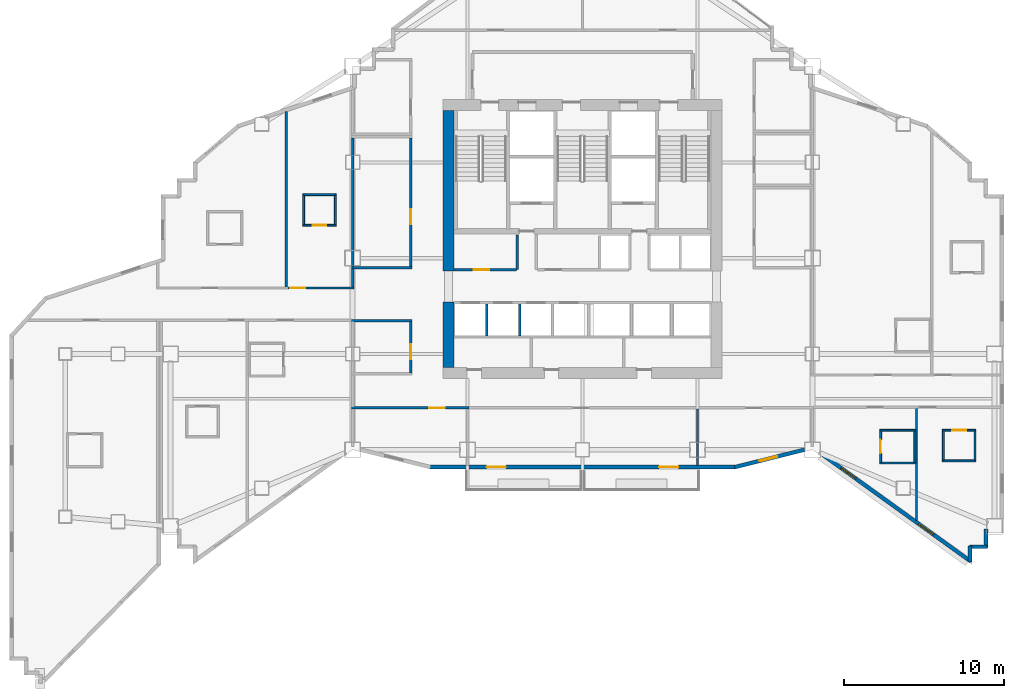
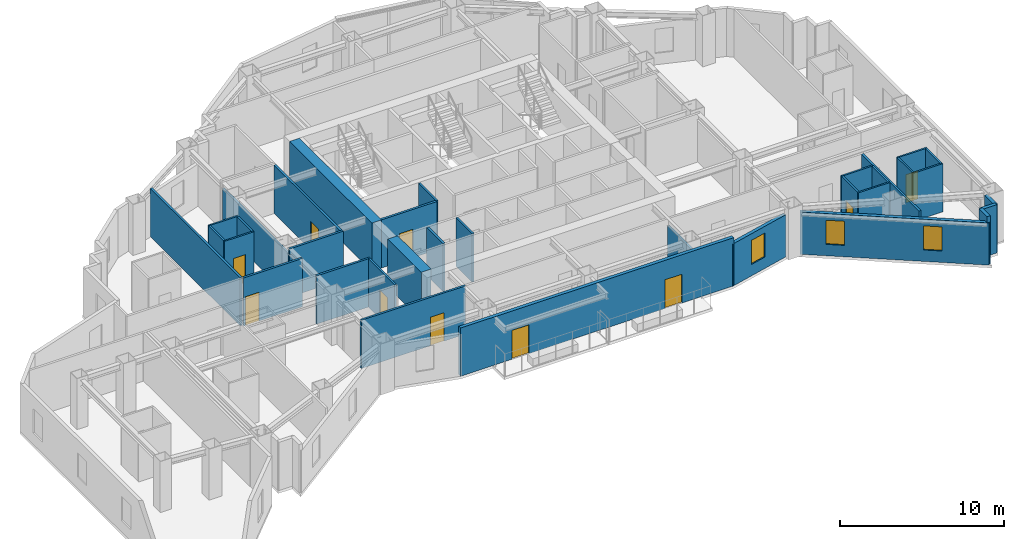
# One storey, part 6 of 14: 35 walls, 10 doors, 3 windows, 13 openings.
"""IFC4 building model written with IfcOpenShell, lengths in metres."""

import ifcopenshell
import ifcopenshell.guid

model = None  # the IFC model being written
_history = None  # IfcOwnerHistory: only IFC2X3 demands one
_inside = {}  # id of a spatial element -> (the spatial element, [elements in it])
_under = {}  # id of a project, library or spatial element -> (it, [spatial elements below it])
_declared = {}  # id of a project -> (the project, [libraries it declares])
_typed = {}  # id of a type object -> (the type object, [elements of that type])
_made_of = {}  # id of a material, layer set ... -> (it, [elements and type objects made of it])


def new_model(schema):
    """Start an empty IFC model of exactly this schema.

    Asked for "IFC4X3", IfcOpenShell would pick the latest addendum, in which some entities
    have other attributes; the version numbers below select the first issue.
    IFC2X3 requires an IfcOwnerHistory on every rooted entity: one is made here for all.
    """
    global model, _history
    if schema == "IFC4X3":
        model = ifcopenshell.file(schema_version=(4, 3, 0, 0))
    else:
        model = ifcopenshell.file(schema=schema)
    _inside.clear()
    _under.clear()
    _declared.clear()
    _typed.clear()
    _made_of.clear()
    _history = None
    if model.schema == "IFC2X3":
        org = make("IfcOrganization", Name="unknown")
        user = make(
            "IfcPersonAndOrganization",
            ThePerson=make("IfcPerson", FamilyName="unknown"),
            TheOrganization=org,
        )
        app = make(
            "IfcApplication",
            ApplicationDeveloper=org,
            Version="unknown",
            ApplicationFullName="unknown",
            ApplicationIdentifier="unknown",
        )
        _history = make(
            "IfcOwnerHistory",
            OwningUser=user,
            OwningApplication=app,
            ChangeAction="ADDED",
            CreationDate=0,
        )
    return model


def make(cls, **values):
    """One entity of the class cls with the attributes given. An attribute that is None is left unset."""
    return model.create_entity(
        cls, **{name: value for name, value in values.items() if value is not None}
    )


def rooted(cls, **values):
    """An entity with a GlobalId (a new one), such as an element, a storey or a relation."""
    return make(cls, GlobalId=ifcopenshell.guid.new(), OwnerHistory=_history, **values)


def si_unit(unit_type, name, prefix=None):
    """IfcSIUnit, for example si_unit("LENGTHUNIT", "METRE", prefix="MILLI")."""
    return make("IfcSIUnit", UnitType=unit_type, Prefix=prefix, Name=name)


def assignment(units):
    """IfcUnitAssignment: the units of a project."""
    return None if units is None else make("IfcUnitAssignment", Units=units)


def point(xyz):
    """IfcCartesianPoint."""
    return None if xyz is None else make("IfcCartesianPoint", Coordinates=xyz)


def direction(xyz):
    """IfcDirection."""
    return None if xyz is None else make("IfcDirection", DirectionRatios=xyz)


def frame(location, z_axis=None, x_axis=None):
    """IfcAxis2Placement3D, a coordinate frame: its origin and axes. An axis left out is left unset."""
    return make(
        "IfcAxis2Placement3D",
        Location=point(location),
        Axis=direction(z_axis),
        RefDirection=direction(x_axis),
    )


def frame_2d(location, x_axis=None):
    """IfcAxis2Placement2D, a coordinate frame in the plane: its origin and x axis."""
    return make(
        "IfcAxis2Placement2D", Location=point(location), RefDirection=direction(x_axis)
    )


def origin():
    """The frame at (0, 0, 0) with its axes left unset."""
    return frame((0.0, 0.0, 0.0))


def place(relative_to, where):
    """IfcLocalPlacement: puts the frame where relative to a parent placement (None: the world)."""
    return make(
        "IfcLocalPlacement", PlacementRelTo=relative_to, RelativePlacement=where
    )


def context(
    kind, dimensions, precision=None, world=None, true_north=None, identifier=None
):
    """IfcGeometricRepresentationContext, for example the 3D "Model" context."""
    return make(
        "IfcGeometricRepresentationContext",
        ContextIdentifier=identifier,
        ContextType=kind,
        CoordinateSpaceDimension=dimensions,
        Precision=precision,
        WorldCoordinateSystem=world,
        TrueNorth=true_north,
    )


def subcontext(parent, identifier, kind, view, scale=None):
    """IfcGeometricRepresentationSubContext, for example "Body" below "Model"."""
    return make(
        "IfcGeometricRepresentationSubContext",
        ContextIdentifier=identifier,
        ContextType=kind,
        ParentContext=parent,
        TargetScale=scale,
        TargetView=view,
    )


def project(units=None, contexts=None):
    """IfcProject with its units and contexts."""
    return rooted(
        "IfcProject",
        Name="project",
        RepresentationContexts=contexts,
        UnitsInContext=assignment(units),
    )


def spatial(cls, under=None, at=None, **own):
    """A site, building, storey or space (cls), placed at a placement, below another one or the project."""
    s = rooted(cls, ObjectPlacement=at, **own)
    if under is not None:
        _under.setdefault(under.id(), (under, []))[1].append(s)
    return s


def profile(cls, at=None, kind="AREA", **sizes):
    """A parametric profile (cls). Its sizes go by their IFC names, for example OverallWidth=200.0."""
    return make(cls, ProfileType=kind, Position=at, **sizes)


def rectangle(**sizes):
    """IfcRectangleProfileDef."""
    return profile("IfcRectangleProfileDef", **sizes)


def extrude(swept, where, along, depth):
    """IfcExtrudedAreaSolid: the profile swept, set in the frame where, extruded along a direction by depth."""
    return make(
        "IfcExtrudedAreaSolid",
        SweptArea=swept,
        Position=where,
        ExtrudedDirection=direction(along),
        Depth=depth,
    )


def shape(context_of_items, identifier, shape_type, items):
    """IfcShapeRepresentation: the items that make up one representation, for example the "Body"."""
    return make(
        "IfcShapeRepresentation",
        ContextOfItems=context_of_items,
        RepresentationIdentifier=identifier,
        RepresentationType=shape_type,
        Items=items,
    )


def material(Name=None, Category=None):
    """IfcMaterial."""
    return make("IfcMaterial", Name=Name, Category=Category)


def layer(
    of_material, thickness, ventilated=None, Name=None, Category=None, Priority=None
):
    """IfcMaterialLayer: one layer of a wall or slab, of a material (None: an air gap)."""
    return make(
        "IfcMaterialLayer",
        Material=of_material,
        LayerThickness=thickness,
        IsVentilated=ventilated,
        Name=Name,
        Category=Category,
        Priority=Priority,
    )


def layer_set(layers, Name=None):
    """IfcMaterialLayerSet."""
    return make("IfcMaterialLayerSet", MaterialLayers=layers, LayerSetName=Name)


def made_of(thing, what):
    """Note that an element or type object is made of a material, layer set ...; save() writes the relation."""
    if what is not None:
        _made_of.setdefault(what.id(), (what, []))[1].append(thing)
    return thing


def type_object(cls, material=None, **own):
    """A type object (cls), such as IfcWallType, which elements share."""
    return made_of(rooted(cls, **own), material)


def element(
    cls,
    number,
    at=None,
    inside=None,
    cuts=None,
    type_object=None,
    material=None,
    context=None,
    identifier="Body",
    shape_type=None,
    held_by="IfcProductDefinitionShape",
    body=None,
    shapes=None,
    **own,
):
    """One element of the class cls, such as IfcWall. Its Tag is "e" and its number.

    at: its placement. inside: the storey or other place that contains it. cuts: it is an
    opening in that element (IfcRelVoidsElement). A single representation is given by context,
    identifier, shape_type and body (its items); several are given by shapes. held_by: the class
    of the entity that holds the representations. save() writes the other relations.
    """
    e = rooted(cls, Tag="e%d" % number, ObjectPlacement=at, **own)
    if body is not None:
        shapes = [shape(context, identifier, shape_type, body)]
    if shapes is not None:
        e.Representation = make(held_by, Representations=shapes)
    if inside is not None:
        _inside.setdefault(inside.id(), (inside, []))[1].append(e)
    if cuts is not None:
        rooted(
            "IfcRelVoidsElement", RelatingBuildingElement=cuts, RelatedOpeningElement=e
        )
    if type_object is not None:
        _typed.setdefault(type_object.id(), (type_object, []))[1].append(e)
    return made_of(e, material)


def fill(opening, filler):
    """IfcRelFillsElement: the door or window that sits in an opening."""
    return rooted(
        "IfcRelFillsElement",
        RelatingOpeningElement=opening,
        RelatedBuildingElement=filler,
    )


def aggregate(whole, parts):
    """IfcRelAggregates: a whole, such as a stair, and the parts it consists of."""
    return rooted("IfcRelAggregates", RelatingObject=whole, RelatedObjects=parts)


def save(model, path):
    """Write the relations noted so far, then the file.

    IfcRelAggregates (storeys below a building ...), IfcRelContainedInSpatialStructure (elements
    in a storey), IfcRelDefinesByType, IfcRelAssociatesMaterial and IfcRelDeclares: one each for
    every whole, place, type object, material and project.
    """
    for whole, parts in _under.values():
        aggregate(whole, parts)
    for where, things in _inside.values():
        rooted(
            "IfcRelContainedInSpatialStructure",
            RelatedElements=things,
            RelatingStructure=where,
        )
    for kind, things in _typed.values():
        rooted("IfcRelDefinesByType", RelatedObjects=things, RelatingType=kind)
    for what, things in _made_of.values():
        rooted("IfcRelAssociatesMaterial", RelatedObjects=things, RelatingMaterial=what)
    for by, libraries in _declared.values():
        rooted("IfcRelDeclares", RelatingContext=by, RelatedDefinitions=libraries)
    model.write(path)


model = new_model("IFC4")

# Units and contexts
model_context = context("Model", 3, precision=1e-05, world=origin(), true_north=direction((0.0, 1.0)))
body_context = subcontext(model_context, "Body", "Model", "MODEL_VIEW")
ifc_project = project(units=[si_unit("LENGTHUNIT", "METRE"), si_unit("AREAUNIT", "SQUARE_METRE"), si_unit("VOLUMEUNIT", "CUBIC_METRE"), si_unit("PLANEANGLEUNIT", "RADIAN"), si_unit("MASSUNIT", "GRAM", prefix="KILO")], contexts=[model_context])

# Site, building, storey
site_placement = place(None, origin())
site = spatial("IfcSite", under=ifc_project, at=site_placement, CompositionType="ELEMENT")
building_placement = place(site_placement, origin())
building = spatial("IfcBuilding", under=site, at=building_placement, Name="Haolan Belvedere Tower", CompositionType="ELEMENT")
storey_placement = place(building_placement, frame((0.0, 0.0, 109.800048828125)))
storey = spatial("IfcBuildingStorey", under=building, at=storey_placement, Name="L27", CompositionType="ELEMENT", Elevation=109.800048828125)

# Walls
ifc_material_1 = material(Name="Concrete C60/75", Category="concrete")
ifc_layer_1 = layer(ifc_material_1, 0.699951171875, Name="Concrete C60/75")
ifc_layer_set_1 = layer_set([ifc_layer_1], Name="Concrete C60/75")
wall_type_1 = type_object("IfcWallType", Name="WL-CORE-700", PredefinedType="SHEAR", material=ifc_layer_set_1)
wall_1_placement = place(storey_placement, frame((30.0, 26.75, 0.0), z_axis=(0.0, 0.0, 1.0), x_axis=(0.0, 1.0, 0.0)))
element("IfcWall", 1, at=wall_1_placement, inside=storey, type_object=wall_type_1, Name="L27 central core shear wall WS", PredefinedType="SHEAR", context=body_context, shape_type="SweptSolid", body=[
    extrude(rectangle(XDim=4.10009765625, YDim=0.699951171875, at=frame_2d((2.050048828125, 0.0))), origin(), (0.0, 0.0, 1.0), 3.599853515625),
])
wall_2_placement = place(storey_placement, frame((30.0, 32.800048828125, 0.0), z_axis=(0.0, 0.0, 1.0), x_axis=(0.0, 1.0, 0.0)))
element("IfcWall", 2, at=wall_2_placement, inside=storey, type_object=wall_type_1, Name="L27 central core shear wall WN", PredefinedType="SHEAR", context=body_context, shape_type="SweptSolid", body=[
    extrude(rectangle(XDim=10.050048828125, YDim=0.699951171875, at=frame_2d((5.02490234375, 0.0))), origin(), (0.0, 0.0, 1.0), 3.599853515625),
])

# Wall, openings, doors
ifc_material_2 = material(Name="Precast concrete C40/50", Category="concrete")
ifc_layer_2 = layer(ifc_material_2, 0.239990234375, Name="Precast concrete C40/50")
ifc_layer_set_2 = layer_set([ifc_layer_2], Name="Precast concrete C40/50")
wall_type_2 = type_object("IfcWallType", Name="WL-EXT-240", PredefinedType="SOLIDWALL", material=ifc_layer_set_2)
wall_3_placement = place(storey_placement, frame((28.759765625, 20.52001953125, 0.0), z_axis=(0.0, 0.0, 1.0), x_axis=(1.0, 0.0, 0.0)))
wall_3 = element("IfcWall", 3, at=wall_3_placement, inside=storey, type_object=wall_type_2, Name="L27 pale-metal exterior spandrel wall 7.1", PredefinedType="SOLIDWALL", context=body_context, shape_type="SweptSolid", body=[
    extrude(rectangle(XDim=19.280517578125, YDim=0.239990234375, at=frame_2d((9.64013671875, 0.0))), origin(), (0.0, 0.0, 1.0), 3.599853515625),
])
opening_1_placement = place(wall_3_placement, frame((4.840087890625, 0.0, 0.0), z_axis=(0.0, 0.0, 1.0), x_axis=(-1.0, 0.0, 0.0)))
opening_1 = element("IfcOpeningElement", 4, at=opening_1_placement, cuts=wall_3, Name="Opening BD-01", PredefinedType="OPENING", context=body_context, shape_type="SweptSolid", body=[
    extrude(rectangle(XDim=1.199951171875, YDim=2.14990234375, at=frame_2d((0.60009765625, 1.074951171875))), frame((0.0, 0.1298828125, 0.0), z_axis=(0.0, -1.0, 0.0), x_axis=(1.0, 0.0, 0.0)), (0.0, 0.0, 1.0), 0.260009765625),
])
opening_2_placement = place(wall_3_placement, frame((15.64013671875, 0.0, 0.0), z_axis=(0.0, 0.0, 1.0), x_axis=(-1.0, 0.0, 0.0)))
opening_2 = element("IfcOpeningElement", 5, at=opening_2_placement, cuts=wall_3, Name="Opening BD-01", PredefinedType="OPENING", context=body_context, shape_type="SweptSolid", body=[
    extrude(rectangle(XDim=1.199951171875, YDim=2.14990234375, at=frame_2d((0.60009765625, 1.074951171875))), frame((0.0, 0.1298828125, 0.0), z_axis=(0.0, -1.0, 0.0), x_axis=(1.0, 0.0, 0.0)), (0.0, 0.0, 1.0), 0.260009765625),
])
ifc_material_3 = material(Name="Thermally broken pale-metal aluminium and Low-E glass", Category="aluminium")
door_type_1 = type_object("IfcDoorType", Name="DR-BAL-1200", OperationType="NOTDEFINED", PredefinedType="DOOR", material=ifc_material_3)
door_1_placement = place(opening_1_placement, origin())
door_1 = element("IfcDoor", 6, at=door_1_placement, inside=storey, type_object=door_type_1, Name="L27 tree-balcony access door 1", OperationType="SINGLE_SWING_LEFT", OverallHeight=2.14990234375, OverallWidth=1.199951171875, PredefinedType="DOOR", context=body_context, shape_type="SweptSolid", body=[
    extrude(rectangle(XDim=1.199951171875, YDim=2.14990234375, at=frame_2d((0.60009765625, 1.074951171875))), frame((0.0, 0.02490234375, 0.0), z_axis=(0.0, -1.0, 0.0), x_axis=(1.0, 0.0, 0.0)), (0.0, 0.0, 1.0), 0.050048828125),
])
fill(opening_1, door_1)
door_2_placement = place(opening_2_placement, origin())
door_2 = element("IfcDoor", 7, at=door_2_placement, inside=storey, type_object=door_type_1, Name="L27 tree-balcony access door 2", OperationType="SINGLE_SWING_RIGHT", OverallHeight=2.14990234375, OverallWidth=1.199951171875, PredefinedType="DOOR", context=body_context, shape_type="SweptSolid", body=[
    extrude(rectangle(XDim=1.199951171875, YDim=2.14990234375, at=frame_2d((0.60009765625, 1.074951171875))), frame((0.0, 0.02490234375, 0.0), z_axis=(0.0, -1.0, 0.0), x_axis=(1.0, 0.0, 0.0)), (0.0, 0.0, 1.0), 0.050048828125),
])
fill(opening_2, door_2)

# Wall, opening, window
wall_4_placement = place(storey_placement, frame((47.931884765625, 20.506591796875, 0.0), z_axis=(0.0, 0.0, 1.0), x_axis=(0.970145683738, 0.242522890311, 0.0)))
wall_4 = element("IfcWall", 8, at=wall_4_placement, inside=storey, type_object=wall_type_2, Name="L27 pale-metal exterior spandrel wall 8.1", PredefinedType="SOLIDWALL", context=body_context, shape_type="SweptSolid", body=[
    extrude(rectangle(XDim=4.510986328125, YDim=0.239990234375, at=frame_2d((2.25537109375, 0.0))), origin(), (0.0, 0.0, 1.0), 3.14501953125),
])
opening_3_placement = place(wall_4_placement, frame((1.60009765625, 0.0, 0.85009765625)))
opening_3 = element("IfcOpeningElement", 9, at=opening_3_placement, cuts=wall_4, Name="Opening W-02", PredefinedType="OPENING", context=body_context, shape_type="SweptSolid", body=[
    extrude(rectangle(XDim=1.14990234375, YDim=1.800048828125, at=frame_2d((0.574951171875, 0.89990234375))), frame((0.0, 0.1298828125, 0.0), z_axis=(0.0, -1.0, 0.0), x_axis=(1.0, 0.0, 0.0)), (0.0, 0.0, 1.0), 0.260009765625),
])
ifc_material_4 = material(Name="Anodised aluminium 6063-T6 and Low-E glass", Category="aluminium")
window_type = type_object("IfcWindowType", Name="WN-DECO-Z2", PartitioningType="SINGLE_PANEL", PredefinedType="WINDOW", material=ifc_material_4)
window_1_placement = place(opening_3_placement, origin())
window_1 = element("IfcWindow", 10, at=window_1_placement, inside=storey, type_object=window_type, Name="L27 Art Deco chevron window 1", OverallHeight=1.800048828125, OverallWidth=1.14990234375, PartitioningType="SINGLE_PANEL", PredefinedType="WINDOW", context=body_context, shape_type="SweptSolid", body=[
    extrude(rectangle(XDim=1.14990234375, YDim=1.800048828125, at=frame_2d((0.574951171875, 0.89990234375))), frame((0.0, 0.030029296875, 0.0), z_axis=(0.0, -1.0, 0.0), x_axis=(1.0, 0.0, 0.0)), (0.0, 0.0, 1.0), 0.06005859375),
])
fill(opening_3, window_1)

# Wall, openings, windows
wall_5_placement = place(storey_placement, frame((53.2919921875, 21.3935546875, 0.0), z_axis=(0.0, 0.0, 1.0), x_axis=(0.811543504691, -0.584291998913, 0.0)))
wall_5 = element("IfcWall", 11, at=wall_5_placement, inside=storey, type_object=wall_type_2, Name="L27 pale-metal exterior spandrel wall 9.1", PredefinedType="SOLIDWALL", context=body_context, shape_type="SweptSolid", body=[
    extrude(rectangle(XDim=11.623046875, YDim=0.239990234375, at=frame_2d((5.8115234375, 0.0))), origin(), (0.0, 0.0, 1.0), 3.14501953125),
])
opening_4_placement = place(wall_5_placement, frame((1.60009765625, 0.0, 0.85009765625)))
opening_4 = element("IfcOpeningElement", 12, at=opening_4_placement, cuts=wall_5, Name="Opening W-02", PredefinedType="OPENING", context=body_context, shape_type="SweptSolid", body=[
    extrude(rectangle(XDim=1.14990234375, YDim=1.800048828125, at=frame_2d((0.574951171875, 0.89990234375))), frame((0.0, 0.1298828125, 0.0), z_axis=(0.0, -1.0, 0.0), x_axis=(1.0, 0.0, 0.0)), (0.0, 0.0, 1.0), 0.260009765625),
])
opening_5_placement = place(wall_5_placement, frame((7.58740234375, 0.0, 0.85009765625)))
opening_5 = element("IfcOpeningElement", 13, at=opening_5_placement, cuts=wall_5, Name="Opening W-02", PredefinedType="OPENING", context=body_context, shape_type="SweptSolid", body=[
    extrude(rectangle(XDim=1.14990234375, YDim=1.800048828125, at=frame_2d((0.574951171875, 0.89990234375))), frame((0.0, 0.1298828125, 0.0), z_axis=(0.0, -1.0, 0.0), x_axis=(1.0, 0.0, 0.0)), (0.0, 0.0, 1.0), 0.260009765625),
])
window_2_placement = place(opening_4_placement, origin())
window_2 = element("IfcWindow", 14, at=window_2_placement, inside=storey, type_object=window_type, Name="L27 Art Deco chevron window 1", OverallHeight=1.800048828125, OverallWidth=1.14990234375, PartitioningType="SINGLE_PANEL", PredefinedType="WINDOW", context=body_context, shape_type="SweptSolid", body=[
    extrude(rectangle(XDim=1.14990234375, YDim=1.800048828125, at=frame_2d((0.574951171875, 0.89990234375))), frame((0.0, 0.030029296875, 0.0), z_axis=(0.0, -1.0, 0.0), x_axis=(1.0, 0.0, 0.0)), (0.0, 0.0, 1.0), 0.06005859375),
])
fill(opening_4, window_2)
window_3_placement = place(opening_5_placement, origin())
window_3 = element("IfcWindow", 15, at=window_3_placement, inside=storey, type_object=window_type, Name="L27 Art Deco chevron window 2", OverallHeight=1.800048828125, OverallWidth=1.14990234375, PartitioningType="SINGLE_PANEL", PredefinedType="WINDOW", context=body_context, shape_type="SweptSolid", body=[
    extrude(rectangle(XDim=1.14990234375, YDim=1.800048828125, at=frame_2d((0.574951171875, 0.89990234375))), frame((0.0, 0.030029296875, 0.0), z_axis=(0.0, -1.0, 0.0), x_axis=(1.0, 0.0, 0.0)), (0.0, 0.0, 1.0), 0.06005859375),
])
fill(opening_5, window_3)

# Walls
wall_6_placement = place(storey_placement, frame((62.679931640625, 14.579345703125, 0.0), z_axis=(0.0, 0.0, 1.0), x_axis=(0.0, 1.0, 0.0)))
element("IfcWall", 16, at=wall_6_placement, inside=storey, type_object=wall_type_2, Name="L27 pale-metal exterior spandrel wall 10.1", PredefinedType="SOLIDWALL", context=body_context, shape_type="SweptSolid", body=[
    extrude(rectangle(XDim=0.99560546875, YDim=0.239990234375, at=frame_2d((0.497802734375, 0.0))), origin(), (0.0, 0.0, 1.0), 3.599853515625),
])
wall_7_placement = place(storey_placement, frame((62.625, 15.52001953125, 0.0), z_axis=(0.0, 0.0, 1.0), x_axis=(1.0, 0.0, 0.0)))
element("IfcWall", 17, at=wall_7_placement, inside=storey, type_object=wall_type_2, Name="L27 pale-metal exterior spandrel wall 11.1", PredefinedType="SOLIDWALL", context=body_context, shape_type="SweptSolid", body=[
    extrude(rectangle(XDim=1.110107421875, YDim=0.239990234375, at=frame_2d((0.55517578125, 0.0))), origin(), (0.0, 0.0, 1.0), 3.599853515625),
])
wall_8_placement = place(storey_placement, frame((63.679931640625, 15.465087890625, 0.0), z_axis=(0.0, 0.0, 1.0), x_axis=(0.0, 1.0, 0.0)))
element("IfcWall", 18, at=wall_8_placement, inside=storey, type_object=wall_type_2, Name="L27 pale-metal exterior spandrel wall 12.1", PredefinedType="SOLIDWALL", context=body_context, shape_type="SweptSolid", body=[
    extrude(rectangle(XDim=1.1748046875, YDim=0.239990234375, at=frame_2d((0.58740234375, 0.0))), origin(), (0.0, 0.0, 1.0), 3.599853515625),
])
ifc_material_5 = material(Name="Double gypsum acoustic stud partition", Category="masonry")
ifc_layer_3 = layer(ifc_material_5, 0.14990234375, Name="Double gypsum acoustic stud partition")
ifc_layer_set_3 = layer_set([ifc_layer_3], Name="Double gypsum acoustic stud partition")
wall_type_3 = type_object("IfcWallType", Name="WL-PART-150", PredefinedType="PARTITIONING", material=ifc_layer_set_3)
wall_9_placement = place(storey_placement, frame((23.919921875, 33.0, 0.0), z_axis=(0.0, 0.0, 1.0), x_axis=(1.0, 0.0, 0.0)))
element("IfcWall", 19, at=wall_9_placement, inside=storey, type_object=wall_type_3, Name="L27 interior partition IW-L27-SAL-S", PredefinedType="PARTITIONING", context=body_context, shape_type="SweptSolid", body=[
    extrude(rectangle(XDim=3.800048828125, YDim=0.14990234375, at=frame_2d((1.89990234375, 0.0))), origin(), (0.0, 0.0, 1.0), 3.599853515625),
])
wall_10_placement = place(storey_placement, frame((24.0, 33.06005859375, 0.0), z_axis=(0.0, 0.0, 1.0), x_axis=(0.0, 1.0, 0.0)))
element("IfcWall", 20, at=wall_10_placement, inside=storey, type_object=wall_type_3, Name="L27 interior partition IW-L27-SAL-W", PredefinedType="PARTITIONING", context=body_context, shape_type="SweptSolid", body=[
    extrude(rectangle(XDim=8.079833984375, YDim=0.14990234375, at=frame_2d((4.0400390625, 0.0))), origin(), (0.0, 0.0, 1.0), 3.14501953125),
])

# Wall, opening, door
wall_11_placement = place(storey_placement, frame((27.639892578125, 33.06005859375, 0.0), z_axis=(0.0, 0.0, 1.0), x_axis=(0.0, 1.0, 0.0)))
wall_11 = element("IfcWall", 21, at=wall_11_placement, inside=storey, type_object=wall_type_3, Name="L27 interior partition IW-L27-SAL-E", PredefinedType="PARTITIONING", context=body_context, shape_type="SweptSolid", body=[
    extrude(rectangle(XDim=8.079833984375, YDim=0.14990234375, at=frame_2d((4.0400390625, 0.0))), origin(), (0.0, 0.0, 1.0), 3.599853515625),
])
opening_6_placement = place(wall_11_placement, frame((3.60986328125, 0.0, 0.0), z_axis=(0.0, 0.0, 1.0), x_axis=(-1.0, 0.0, 0.0)))
opening_6 = element("IfcOpeningElement", 22, at=opening_6_placement, cuts=wall_11, Name="Opening ID-03", PredefinedType="OPENING", context=body_context, shape_type="SweptSolid", body=[
    extrude(rectangle(XDim=0.949951171875, YDim=2.1201171875, at=frame_2d((0.47509765625, 1.06005859375))), frame((0.0, 0.0849609375, 0.0), z_axis=(0.0, -1.0, 0.0), x_axis=(1.0, 0.0, 0.0)), (0.0, 0.0, 1.0), 0.169921875),
])
ifc_material_6 = material(Name="Painted solid-core timber", Category="wood")
door_type_2 = type_object("IfcDoorType", Name="DR-INT-950", OperationType="NOTDEFINED", PredefinedType="DOOR", material=ifc_material_6)
door_3_placement = place(opening_6_placement, origin())
door_3 = element("IfcDoor", 23, at=door_3_placement, inside=storey, type_object=door_type_2, Name="L27 door ID-L27-SAL", OperationType="SINGLE_SWING_LEFT", OverallHeight=2.1201171875, OverallWidth=0.949951171875, PredefinedType="DOOR", context=body_context, shape_type="SweptSolid", body=[
    extrude(rectangle(XDim=0.949951171875, YDim=2.1201171875, at=frame_2d((0.47509765625, 1.06005859375))), frame((0.0, 0.02490234375, 0.0), z_axis=(0.0, -1.0, 0.0), x_axis=(1.0, 0.0, 0.0)), (0.0, 0.0, 1.0), 0.050048828125),
])
fill(opening_6, door_3)

# Wall
wall_12_placement = place(storey_placement, frame((23.919921875, 29.679931640625, 0.0), z_axis=(0.0, 0.0, 1.0), x_axis=(1.0, 0.0, 0.0)))
element("IfcWall", 24, at=wall_12_placement, inside=storey, type_object=wall_type_3, Name="L27 interior partition IW-L27-PKTW-N", PredefinedType="PARTITIONING", context=body_context, shape_type="SweptSolid", body=[
    extrude(rectangle(XDim=3.800048828125, YDim=0.14990234375, at=frame_2d((1.89990234375, 0.0))), origin(), (0.0, 0.0, 1.0), 3.599853515625),
])

# Wall, opening, door
wall_13_placement = place(storey_placement, frame((27.639892578125, 26.409912109375, 0.0), z_axis=(0.0, 0.0, 1.0), x_axis=(0.0, 1.0, 0.0)))
wall_13 = element("IfcWall", 25, at=wall_13_placement, inside=storey, type_object=wall_type_3, Name="L27 interior partition IW-L27-PKTW-E", PredefinedType="PARTITIONING", context=body_context, shape_type="SweptSolid", body=[
    extrude(rectangle(XDim=3.210205078125, YDim=0.14990234375, at=frame_2d((1.60498046875, 0.0))), origin(), (0.0, 0.0, 1.0), 3.599853515625),
])
opening_7_placement = place(wall_13_placement, frame((1.81005859375, 0.0, 0.0), z_axis=(0.0, 0.0, 1.0), x_axis=(-1.0, 0.0, 0.0)))
opening_7 = element("IfcOpeningElement", 26, at=opening_7_placement, cuts=wall_13, Name="Opening ID-03", PredefinedType="OPENING", context=body_context, shape_type="SweptSolid", body=[
    extrude(rectangle(XDim=0.949951171875, YDim=2.1201171875, at=frame_2d((0.47509765625, 1.06005859375))), frame((0.0, 0.0849609375, 0.0), z_axis=(0.0, -1.0, 0.0), x_axis=(1.0, 0.0, 0.0)), (0.0, 0.0, 1.0), 0.169921875),
])
door_4_placement = place(opening_7_placement, origin())
door_4 = element("IfcDoor", 27, at=door_4_placement, inside=storey, type_object=door_type_2, Name="L27 door ID-L27-PKTW", OperationType="SINGLE_SWING_LEFT", OverallHeight=2.1201171875, OverallWidth=0.949951171875, PredefinedType="DOOR", context=body_context, shape_type="SweptSolid", body=[
    extrude(rectangle(XDim=0.949951171875, YDim=2.1201171875, at=frame_2d((0.47509765625, 1.06005859375))), frame((0.0, 0.02490234375, 0.0), z_axis=(0.0, -1.0, 0.0), x_axis=(1.0, 0.0, 0.0)), (0.0, 0.0, 1.0), 0.050048828125),
])
fill(opening_7, door_4)

wall_14_placement = place(storey_placement, frame((23.919921875, 24.219970703125, 0.0), z_axis=(0.0, 0.0, 1.0), x_axis=(1.0, 0.0, 0.0)))
wall_14 = element("IfcWall", 28, at=wall_14_placement, inside=storey, type_object=wall_type_3, Name="L27 interior partition IW-L27-KS1-N", PredefinedType="PARTITIONING", context=body_context, shape_type="SweptSolid", body=[
    extrude(rectangle(XDim=7.360107421875, YDim=0.14990234375, at=frame_2d((3.68017578125, 0.0))), origin(), (0.0, 0.0, 1.0), 3.599853515625),
])
opening_8_placement = place(wall_14_placement, frame((5.844970703125, 0.0, 0.0), z_axis=(0.0, 0.0, 1.0), x_axis=(-1.0, 0.0, 0.0)))
opening_8 = element("IfcOpeningElement", 29, at=opening_8_placement, cuts=wall_14, Name="Opening ID-03", PredefinedType="OPENING", context=body_context, shape_type="SweptSolid", body=[
    extrude(rectangle(XDim=0.949951171875, YDim=2.1201171875, at=frame_2d((0.47509765625, 1.06005859375))), frame((0.0, 0.0849609375, 0.0), z_axis=(0.0, -1.0, 0.0), x_axis=(1.0, 0.0, 0.0)), (0.0, 0.0, 1.0), 0.169921875),
])
door_5_placement = place(opening_8_placement, origin())
door_5 = element("IfcDoor", 30, at=door_5_placement, inside=storey, type_object=door_type_2, Name="L27 door ID-L27-KS1", OperationType="SINGLE_SWING_LEFT", OverallHeight=2.1201171875, OverallWidth=0.949951171875, PredefinedType="DOOR", context=body_context, shape_type="SweptSolid", body=[
    extrude(rectangle(XDim=0.949951171875, YDim=2.1201171875, at=frame_2d((0.47509765625, 1.06005859375))), frame((0.0, 0.02490234375, 0.0), z_axis=(0.0, -1.0, 0.0), x_axis=(1.0, 0.0, 0.0)), (0.0, 0.0, 1.0), 0.050048828125),
])
fill(opening_8, door_5)

# Walls
wall_15_placement = place(storey_placement, frame((45.60009765625, 20.625, 0.0), z_axis=(0.0, 0.0, 1.0), x_axis=(0.0, 1.0, 0.0)))
element("IfcWall", 31, at=wall_15_placement, inside=storey, type_object=wall_type_3, Name="L27 interior partition IW-L27-KS2-E", PredefinedType="PARTITIONING", context=body_context, shape_type="SweptSolid", body=[
    extrude(rectangle(XDim=3.534912109375, YDim=0.14990234375, at=frame_2d((1.767578125, 0.0))), origin(), (0.0, 0.0, 1.0), 3.0849609375),
])
wall_16_placement = place(storey_placement, frame((19.85009765625, 31.7900390625, 0.0), z_axis=(0.0, 0.0, 1.0), x_axis=(0.0, 1.0, 0.0)))
element("IfcWall", 32, at=wall_16_placement, inside=storey, type_object=wall_type_3, Name="L27 interior partition IW-L27-T2N1-E", PredefinedType="PARTITIONING", context=body_context, shape_type="SweptSolid", body=[
    extrude(rectangle(XDim=10.989501953125, YDim=0.14990234375, at=frame_2d((5.49462890625, 0.0))), origin(), (0.0, 0.0, 1.0), 3.599853515625),
])

# Wall, opening, door
wall_17_placement = place(storey_placement, frame((19.951904296875, 31.72998046875, 0.0), z_axis=(0.0, 0.0, 1.0), x_axis=(1.0, 0.0, 0.0)))
wall_17 = element("IfcWall", 33, at=wall_17_placement, inside=storey, type_object=wall_type_3, Name="L27 interior partition IW-L27-T2N2-S", PredefinedType="PARTITIONING", context=body_context, shape_type="SweptSolid", body=[
    extrude(rectangle(XDim=4.148193359375, YDim=0.14990234375, at=frame_2d((2.07421875, 0.0))), origin(), (0.0, 0.0, 1.0), 3.599853515625),
])
opening_9_placement = place(wall_17_placement, frame((0.139892578125, 0.0, 0.0)))
opening_9 = element("IfcOpeningElement", 34, at=opening_9_placement, cuts=wall_17, Name="Opening ID-02", PredefinedType="OPENING", context=body_context, shape_type="SweptSolid", body=[
    extrude(rectangle(XDim=0.949951171875, YDim=2.14990234375, at=frame_2d((0.47509765625, 1.074951171875))), frame((0.0, 0.0849609375, 0.0), z_axis=(0.0, -1.0, 0.0), x_axis=(1.0, 0.0, 0.0)), (0.0, 0.0, 1.0), 0.169921875),
])
ifc_material_7 = material(Name="Acoustic oak veneer fire-rated timber", Category="wood")
door_type_3 = type_object("IfcDoorType", Name="DR-GUEST-950", OperationType="NOTDEFINED", PredefinedType="DOOR", material=ifc_material_7)
door_6_placement = place(opening_9_placement, origin())
door_6 = element("IfcDoor", 35, at=door_6_placement, inside=storey, type_object=door_type_3, Name="L27 door ID-L27-T2N2-ENT", OperationType="SINGLE_SWING_LEFT", OverallHeight=2.14990234375, OverallWidth=0.949951171875, PredefinedType="DOOR", context=body_context, shape_type="SweptSolid", body=[
    extrude(rectangle(XDim=0.949951171875, YDim=2.14990234375, at=frame_2d((0.47509765625, 1.074951171875))), frame((0.0, 0.02490234375, 0.0), z_axis=(0.0, -1.0, 0.0), x_axis=(1.0, 0.0, 0.0)), (0.0, 0.0, 1.0), 0.050048828125),
])
fill(opening_9, door_6)

# Walls
wall_18_placement = place(storey_placement, frame((24.0, 31.7900390625, 0.0), z_axis=(0.0, 0.0, 1.0), x_axis=(0.0, 1.0, 0.0)))
element("IfcWall", 36, at=wall_18_placement, inside=storey, type_object=wall_type_3, Name="L27 interior partition IW-L27-T2N2-E", PredefinedType="PARTITIONING", context=body_context, shape_type="SweptSolid", body=[
    extrude(rectangle(XDim=1.14990234375, YDim=0.14990234375, at=frame_2d((0.574951171875, 0.0))), origin(), (0.0, 0.0, 1.0), 3.14501953125),
])
wall_19_placement = place(storey_placement, frame((59.320068359375, 17.182861328125, 0.0), z_axis=(0.0, 0.0, 1.0), x_axis=(0.0, 1.0, 0.0)))
element("IfcWall", 37, at=wall_19_placement, inside=storey, type_object=wall_type_3, Name="L27 interior partition IW-L27-T4S1-E", PredefinedType="PARTITIONING", context=body_context, shape_type="SweptSolid", body=[
    extrude(rectangle(XDim=7.027099609375, YDim=0.14990234375, at=frame_2d((3.513671875, 0.0))), origin(), (0.0, 0.0, 1.0), 3.599853515625),
])
ifc_material_8 = material(Name="Gypsum fire shaftwall assembly", Category="masonry")
ifc_layer_4 = layer(ifc_material_8, 0.1650390625, Name="Gypsum fire shaftwall assembly")
ifc_layer_set_4 = layer_set([ifc_layer_4], Name="Gypsum fire shaftwall assembly")
wall_type_4 = type_object("IfcWallType", Name="WL-SHAFT-160", PredefinedType="SOLIDWALL", material=ifc_layer_set_4)
wall_20_placement = place(storey_placement, frame((34.31005859375, 32.8798828125, 0.0), z_axis=(0.0, 0.0, 1.0), x_axis=(0.0, 1.0, 0.0)))
element("IfcWall", 38, at=wall_20_placement, inside=storey, type_object=wall_type_4, Name="L27 interior partition IW-L27-SVP-W-SV1", PredefinedType="SOLIDWALL", context=body_context, shape_type="SweptSolid", body=[
    extrude(rectangle(XDim=2.170166015625, YDim=0.14990234375, at=frame_2d((1.0849609375, 0.0))), origin(), (0.0, 0.0, 1.0), 3.599853515625),
])

# Wall, opening, door
wall_21_placement = place(storey_placement, frame((30.35009765625, 32.8798828125, 0.0), z_axis=(0.0, 0.0, 1.0), x_axis=(1.0, 0.0, 0.0)))
wall_21 = element("IfcWall", 39, at=wall_21_placement, inside=storey, type_object=wall_type_4, Name="L27 interior partition IW-L27-ROW-PN1", PredefinedType="SOLIDWALL", context=body_context, shape_type="SweptSolid", body=[
    extrude(rectangle(XDim=3.89990234375, YDim=0.159912109375, at=frame_2d((1.949951171875, 0.0))), origin(), (0.0, 0.0, 1.0), 3.599853515625),
])
opening_10_placement = place(wall_21_placement, frame((2.199951171875, 0.0, 0.0), z_axis=(0.0, 0.0, 1.0), x_axis=(-1.0, 0.0, 0.0)))
opening_10 = element("IfcOpeningElement", 40, at=opening_10_placement, cuts=wall_21, Name="Opening ID-03", PredefinedType="OPENING", context=body_context, shape_type="SweptSolid", body=[
    extrude(rectangle(XDim=0.949951171875, YDim=2.1201171875, at=frame_2d((0.47509765625, 1.06005859375))), frame((0.0, 0.08984375, 0.0), z_axis=(0.0, -1.0, 0.0), x_axis=(1.0, 0.0, 0.0)), (0.0, 0.0, 1.0), 0.179931640625),
])
door_7_placement = place(opening_10_placement, origin())
door_7 = element("IfcDoor", 41, at=door_7_placement, inside=storey, type_object=door_type_2, Name="L27 door ID-L27-CD-RPLW", OperationType="SINGLE_SWING_LEFT", OverallHeight=2.1201171875, OverallWidth=0.949951171875, PredefinedType="DOOR", context=body_context, shape_type="SweptSolid", body=[
    extrude(rectangle(XDim=0.949951171875, YDim=2.1201171875, at=frame_2d((0.47509765625, 1.06005859375))), frame((0.0, 0.02490234375, 0.0), z_axis=(0.0, -1.0, 0.0), x_axis=(1.0, 0.0, 0.0)), (0.0, 0.0, 1.0), 0.050048828125),
])
fill(opening_10, door_7)

# Walls
for number, where, z_axis, x_axis, name in (
    (42, (32.39990234375, 28.735107421875, 0.0), (0.0, 0.0, 1.0), (0.0, 1.0, 0.0), "L27 interior partition IW-L27-DIV-PM1"),
    (43, (34.4599609375, 28.735107421875, 0.0), (0.0, 0.0, 1.0), (0.0, 1.0, 0.0), "L27 interior partition IW-L27-DIV-PM2"),
):
    element("IfcWall", number, at=place(storey_placement, frame(where, z_axis=z_axis, x_axis=x_axis)), inside=storey, type_object=wall_type_4, Name=name, PredefinedType="SOLIDWALL", context=body_context, shape_type="SweptSolid", body=[
        extrude(rectangle(XDim=1.98486328125, YDim=0.14990234375, at=frame_2d((0.992431640625, 0.0))), origin(), (0.0, 0.0, 1.0), 3.599853515625),
    ])
ifc_material_9 = material(Name="Moisture-resistant gypsum tile partition", Category="masonry")
ifc_layer_5 = layer(ifc_material_9, 0.1201171875, Name="Moisture-resistant gypsum tile partition")
ifc_layer_set_5 = layer_set([ifc_layer_5], Name="Moisture-resistant gypsum tile partition")
wall_type_5 = type_object("IfcWallType", Name="WL-WET-120", PredefinedType="PARTITIONING", material=ifc_layer_set_5)
wall_22_placement = place(storey_placement, frame((20.875, 37.5849609375, 0.0), z_axis=(0.0, 0.0, 1.0), x_axis=(1.0, 0.0, 0.0)))
element("IfcWall", 44, at=wall_22_placement, inside=storey, type_object=wall_type_5, Name="L27 interior partition IW-L27-T2N2-BN", PredefinedType="PARTITIONING", context=body_context, shape_type="SweptSolid", body=[
    extrude(rectangle(XDim=2.10009765625, YDim=0.1201171875, at=frame_2d((1.050048828125, 0.0))), origin(), (0.0, 0.0, 1.0), 3.599853515625),
])

# Wall, opening, door
wall_23_placement = place(storey_placement, frame((20.875, 35.6650390625, 0.0), z_axis=(0.0, 0.0, 1.0), x_axis=(1.0, 0.0, 0.0)))
wall_23 = element("IfcWall", 45, at=wall_23_placement, inside=storey, type_object=wall_type_5, Name="L27 interior partition IW-L27-T2N2-BS", PredefinedType="PARTITIONING", context=body_context, shape_type="SweptSolid", body=[
    extrude(rectangle(XDim=2.10009765625, YDim=0.1201171875, at=frame_2d((1.050048828125, 0.0))), origin(), (0.0, 0.0, 1.0), 3.599853515625),
])
opening_11_placement = place(wall_23_placement, frame((0.625, 0.0, 0.0)))
opening_11 = element("IfcOpeningElement", 46, at=opening_11_placement, cuts=wall_23, Name="Opening ID-05", PredefinedType="OPENING", context=body_context, shape_type="SweptSolid", body=[
    extrude(rectangle(XDim=0.85009765625, YDim=2.10009765625, at=frame_2d((0.425048828125, 1.050048828125))), frame((0.0, 0.070068359375, 0.0), z_axis=(0.0, -1.0, 0.0), x_axis=(1.0, 0.0, 0.0)), (0.0, 0.0, 1.0), 0.14013671875),
])
ifc_material_10 = material(Name="Moisture-resistant lacquered timber", Category="wood")
door_type_4 = type_object("IfcDoorType", Name="DR-BATH-850", OperationType="NOTDEFINED", PredefinedType="DOOR", material=ifc_material_10)
door_8_placement = place(opening_11_placement, origin())
door_8 = element("IfcDoor", 47, at=door_8_placement, inside=storey, type_object=door_type_4, Name="L27 door ID-L27-T2N2-BATH", OperationType="SINGLE_SWING_RIGHT", OverallHeight=2.10009765625, OverallWidth=0.85009765625, PredefinedType="DOOR", context=body_context, shape_type="SweptSolid", body=[
    extrude(rectangle(XDim=0.85009765625, YDim=2.10009765625, at=frame_2d((0.425048828125, 1.050048828125))), frame((0.0, 0.02490234375, 0.0), z_axis=(0.0, -1.0, 0.0), x_axis=(1.0, 0.0, 0.0)), (0.0, 0.0, 1.0), 0.050048828125),
])
fill(opening_11, door_8)

# Walls
for number, where, z_axis, x_axis, name in (
    (48, (20.93505859375, 35.7099609375, 0.0), (0.0, 0.0, 1.0), (0.0, 1.0, 0.0), "L27 interior partition IW-L27-T2N2-BW"),
    (49, (22.9150390625, 35.7099609375, 0.0), (0.0, 0.0, 1.0), (0.0, 1.0, 0.0), "L27 interior partition IW-L27-T2N2-BE"),
):
    element("IfcWall", number, at=place(storey_placement, frame(where, z_axis=z_axis, x_axis=x_axis)), inside=storey, type_object=wall_type_5, Name=name, PredefinedType="PARTITIONING", context=body_context, shape_type="SweptSolid", body=[
        extrude(rectangle(XDim=1.830078125, YDim=0.1201171875, at=frame_2d((0.9150390625, 0.0))), origin(), (0.0, 0.0, 1.0), 3.599853515625),
    ])
for number, where, z_axis, x_axis, name in (
    (50, (57.010009765625, 22.820068359375, 0.0), (0.0, 0.0, 1.0), (1.0, 0.0, 0.0), "L27 interior partition IW-L27-T4S1-BN"),
    (51, (57.010009765625, 20.77001953125, 0.0), (0.0, 0.0, 1.0), (1.0, 0.0, 0.0), "L27 interior partition IW-L27-T4S1-BS"),
):
    element("IfcWall", number, at=place(storey_placement, frame(where, z_axis=z_axis, x_axis=x_axis)), inside=storey, type_object=wall_type_5, Name=name, PredefinedType="PARTITIONING", context=body_context, shape_type="SweptSolid", body=[
        extrude(rectangle(XDim=2.25, YDim=0.1201171875, at=frame_2d((1.125, 0.0))), origin(), (0.0, 0.0, 1.0), 3.599853515625),
    ])

# Wall, opening, door
wall_24_placement = place(storey_placement, frame((57.070068359375, 20.81494140625, 0.0), z_axis=(0.0, 0.0, 1.0), x_axis=(0.0, 1.0, 0.0)))
wall_24 = element("IfcWall", 52, at=wall_24_placement, inside=storey, type_object=wall_type_5, Name="L27 interior partition IW-L27-T4S1-BW", PredefinedType="PARTITIONING", context=body_context, shape_type="SweptSolid", body=[
    extrude(rectangle(XDim=1.9599609375, YDim=0.1201171875, at=frame_2d((0.97998046875, 0.0))), origin(), (0.0, 0.0, 1.0), 3.599853515625),
])
opening_12_placement = place(wall_24_placement, frame((1.405029296875, 0.0, 0.0), z_axis=(0.0, 0.0, 1.0), x_axis=(-1.0, 0.0, 0.0)))
opening_12 = element("IfcOpeningElement", 53, at=opening_12_placement, cuts=wall_24, Name="Opening ID-05", PredefinedType="OPENING", context=body_context, shape_type="SweptSolid", body=[
    extrude(rectangle(XDim=0.85009765625, YDim=2.10009765625, at=frame_2d((0.425048828125, 1.050048828125))), frame((0.0, 0.070068359375, 0.0), z_axis=(0.0, -1.0, 0.0), x_axis=(1.0, 0.0, 0.0)), (0.0, 0.0, 1.0), 0.14013671875),
])
door_9_placement = place(opening_12_placement, origin())
door_9 = element("IfcDoor", 54, at=door_9_placement, inside=storey, type_object=door_type_4, Name="L27 door ID-L27-T4S1-BATH", OperationType="SINGLE_SWING_LEFT", OverallHeight=2.10009765625, OverallWidth=0.85009765625, PredefinedType="DOOR", context=body_context, shape_type="SweptSolid", body=[
    extrude(rectangle(XDim=0.85009765625, YDim=2.10009765625, at=frame_2d((0.425048828125, 1.050048828125))), frame((0.0, 0.02490234375, 0.0), z_axis=(0.0, -1.0, 0.0), x_axis=(1.0, 0.0, 0.0)), (0.0, 0.0, 1.0), 0.050048828125),
])
fill(opening_12, door_9)

# Wall
wall_25_placement = place(storey_placement, frame((59.219970703125, 20.81494140625, 0.0), z_axis=(0.0, 0.0, 1.0), x_axis=(0.0, 1.0, 0.0)))
element("IfcWall", 55, at=wall_25_placement, inside=storey, type_object=wall_type_5, Name="L27 interior partition IW-L27-T4S1-BE", PredefinedType="PARTITIONING", context=body_context, shape_type="SweptSolid", body=[
    extrude(rectangle(XDim=1.9599609375, YDim=0.1201171875, at=frame_2d((0.97998046875, 0.0))), origin(), (0.0, 0.0, 1.0), 3.599853515625),
])

# Wall, opening, door
wall_26_placement = place(storey_placement, frame((60.945068359375, 22.820068359375, 0.0), z_axis=(0.0, 0.0, 1.0), x_axis=(1.0, 0.0, 0.0)))
wall_26 = element("IfcWall", 56, at=wall_26_placement, inside=storey, type_object=wall_type_5, Name="L27 interior partition IW-L27-T4S2-BN", PredefinedType="PARTITIONING", context=body_context, shape_type="SweptSolid", body=[
    extrude(rectangle(XDim=2.099853515625, YDim=0.1201171875, at=frame_2d((1.0498046875, 0.0))), origin(), (0.0, 0.0, 1.0), 3.599853515625),
])
opening_13_placement = place(wall_26_placement, frame((1.47509765625, 0.0, 0.0), z_axis=(0.0, 0.0, 1.0), x_axis=(-1.0, 0.0, 0.0)))
opening_13 = element("IfcOpeningElement", 57, at=opening_13_placement, cuts=wall_26, Name="Opening ID-05", PredefinedType="OPENING", context=body_context, shape_type="SweptSolid", body=[
    extrude(rectangle(XDim=0.85009765625, YDim=2.10009765625, at=frame_2d((0.425048828125, 1.050048828125))), frame((0.0, 0.070068359375, 0.0), z_axis=(0.0, -1.0, 0.0), x_axis=(1.0, 0.0, 0.0)), (0.0, 0.0, 1.0), 0.14013671875),
])
door_10_placement = place(opening_13_placement, origin())
door_10 = element("IfcDoor", 58, at=door_10_placement, inside=storey, type_object=door_type_4, Name="L27 door ID-L27-T4S2-BATH", OperationType="SINGLE_SWING_RIGHT", OverallHeight=2.10009765625, OverallWidth=0.85009765625, PredefinedType="DOOR", context=body_context, shape_type="SweptSolid", body=[
    extrude(rectangle(XDim=0.85009765625, YDim=2.10009765625, at=frame_2d((0.425048828125, 1.050048828125))), frame((0.0, 0.02490234375, 0.0), z_axis=(0.0, -1.0, 0.0), x_axis=(1.0, 0.0, 0.0)), (0.0, 0.0, 1.0), 0.050048828125),
])
fill(opening_13, door_10)

# Walls
wall_27_placement = place(storey_placement, frame((60.945068359375, 20.89990234375, 0.0), z_axis=(0.0, 0.0, 1.0), x_axis=(1.0, 0.0, 0.0)))
element("IfcWall", 59, at=wall_27_placement, inside=storey, type_object=wall_type_5, Name="L27 interior partition IW-L27-T4S2-BS", PredefinedType="PARTITIONING", context=body_context, shape_type="SweptSolid", body=[
    extrude(rectangle(XDim=2.099853515625, YDim=0.1201171875, at=frame_2d((1.0498046875, 0.0))), origin(), (0.0, 0.0, 1.0), 3.599853515625),
])
for number, where, z_axis, x_axis, name in (
    (60, (61.0048828125, 20.945068359375, 0.0), (0.0, 0.0, 1.0), (0.0, 1.0, 0.0), "L27 interior partition IW-L27-T4S2-BW"),
    (61, (62.985107421875, 20.945068359375, 0.0), (0.0, 0.0, 1.0), (0.0, 1.0, 0.0), "L27 interior partition IW-L27-T4S2-BE"),
):
    element("IfcWall", number, at=place(storey_placement, frame(where, z_axis=z_axis, x_axis=x_axis)), inside=storey, type_object=wall_type_5, Name=name, PredefinedType="PARTITIONING", context=body_context, shape_type="SweptSolid", body=[
        extrude(rectangle(XDim=1.829833984375, YDim=0.1201171875, at=frame_2d((0.9150390625, 0.0))), origin(), (0.0, 0.0, 1.0), 3.599853515625),
    ])

save(model, "model.ifc")
